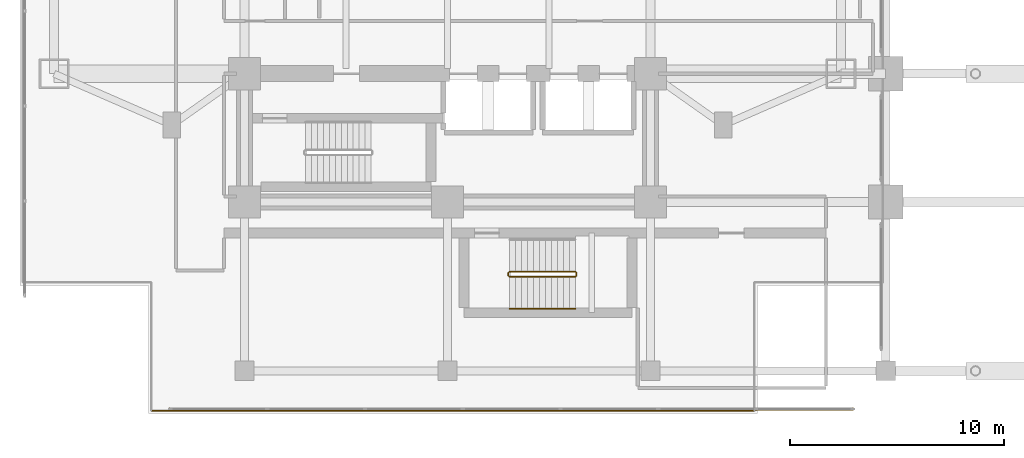
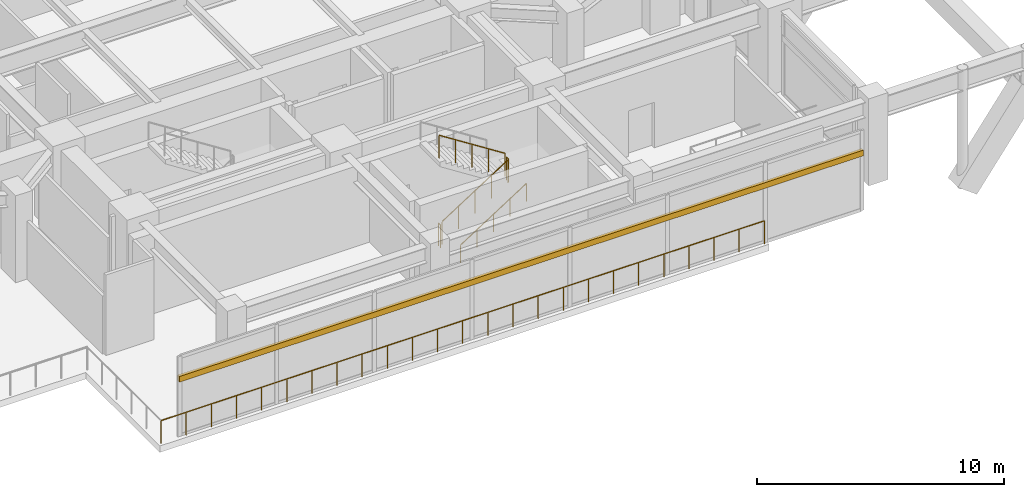
# One storey, part 21 of 30: 6 railings, 1 shading device.
"""IFC4 building model written with IfcOpenShell, lengths in metres."""

from ifc_helpers import new_model, si_unit, direction, frame, origin, origin_2d, place, context, subcontext, project, spatial, rectangle, circle, extrude, material, material_profile, profile_set, type_object, element, save


model = new_model("IFC4")

# Units and contexts
model_context = context("Model", 3, precision=1e-05, world=origin(), true_north=direction((0.0, 1.0)))
body_context = subcontext(model_context, "Body", "Model", "MODEL_VIEW")
ifc_project = project(units=[si_unit("LENGTHUNIT", "METRE"), si_unit("AREAUNIT", "SQUARE_METRE"), si_unit("VOLUMEUNIT", "CUBIC_METRE"), si_unit("PLANEANGLEUNIT", "RADIAN"), si_unit("MASSUNIT", "GRAM", prefix="KILO")], contexts=[model_context])

# Site, building, storey
site_placement = place(None, origin())
site = spatial("IfcSite", under=ifc_project, at=site_placement, CompositionType="ELEMENT")
building_placement = place(site_placement, origin())
building = spatial("IfcBuilding", under=site, at=building_placement, Name="Mirazonda Arch Towers", CompositionType="ELEMENT")
storey_placement = place(building_placement, frame((0.0, 0.0, 9.5)))
storey = spatial("IfcBuildingStorey", under=building, at=storey_placement, Name="L02", CompositionType="ELEMENT", Elevation=9.5)

# Shading device
ifc_material_1 = material(Name="Kiln-Fired Architectural Terracotta", Category="masonry")
ifc_material_profile = material_profile(ifc_material_1, rectangle(XDim=0.139892578125, YDim=0.280029296875, at=origin_2d()), Name="TERRA-BAG-140x280")
ifc_profile_set = profile_set([ifc_material_profile], Name="Kiln-Fired Architectural Terracotta")
shading_device_type = type_object("IfcShadingDeviceType", Name="BAGUETTE-3", PredefinedType="USERDEFINED", material=ifc_profile_set)
shading_device_placement = place(storey_placement, frame((39.5, 2.719970703125, 2.851318359375), z_axis=(-1.0, 0.0, 0.0), x_axis=(0.0, -1.0, 0.0)))
element("IfcShadingDevice", 1, at=shading_device_placement, inside=storey, type_object=shading_device_type, Name="L02 Glazed Terracotta Sun-Screen Baguette CW-L02-WS", ObjectType="BAGUETTE", PredefinedType="USERDEFINED", context=body_context, shape_type="SweptSolid", body=[
    extrude(rectangle(XDim=0.139892578125, YDim=0.280029296875, at=origin_2d()), origin(), (0.0, 0.0, 1.0), 32.0),
])

# Railings
ifc_material_2 = material(Name="Architectural Brushed Steel S355", Category="steel")
railing_type_1 = type_object("IfcRailingType", Name="GUARD-EXT-1150", PredefinedType="GUARDRAIL", material=ifc_material_2)
railing_1_placement = place(storey_placement, frame((6.639892578125, 2.639892578125, 0.0)))
element("IfcRailing", 2, at=railing_1_placement, inside=storey, type_object=railing_type_1, Name="L02 L02 West Podium Perimeter Guard 01", PredefinedType="GUARDRAIL", context=body_context, shape_type="SweptSolid", body=[
    extrude(circle(Radius=0.02392578125, at=origin_2d()), frame((0.0, 0.0, 1.1259765625), z_axis=(1.0, 0.0, 0.0), x_axis=(0.0, 1.0, 0.0)), (0.0, 0.0, 1.0), 28.22021484375),
    extrude(circle(Radius=0.02099609375, at=origin_2d()), origin(), (0.0, 0.0, 1.0), 1.101806640625),
    extrude(circle(Radius=0.02099609375, at=origin_2d()), frame((1.17578125, 0.0, 0.0)), (0.0, 0.0, 1.0), 1.101806640625),
    extrude(circle(Radius=0.02099609375, at=origin_2d()), frame((2.3515625, 0.0, 0.0)), (0.0, 0.0, 1.0), 1.101806640625),
    extrude(circle(Radius=0.02099609375, at=origin_2d()), frame((3.527587890625, 0.0, 0.0)), (0.0, 0.0, 1.0), 1.101806640625),
    extrude(circle(Radius=0.02099609375, at=origin_2d()), frame((4.703369140625, 0.0, 0.0)), (0.0, 0.0, 1.0), 1.101806640625),
    extrude(circle(Radius=0.02099609375, at=origin_2d()), frame((5.879150390625, 0.0, 0.0)), (0.0, 0.0, 1.0), 1.101806640625),
    extrude(circle(Radius=0.02099609375, at=origin_2d()), frame((7.05517578125, 0.0, 0.0)), (0.0, 0.0, 1.0), 1.101806640625),
    extrude(circle(Radius=0.02099609375, at=origin_2d()), frame((8.23095703125, 0.0, 0.0)), (0.0, 0.0, 1.0), 1.101806640625),
    extrude(circle(Radius=0.02099609375, at=origin_2d()), frame((9.40673828125, 0.0, 0.0)), (0.0, 0.0, 1.0), 1.101806640625),
    extrude(circle(Radius=0.02099609375, at=origin_2d()), frame((10.58251953125, 0.0, 0.0)), (0.0, 0.0, 1.0), 1.101806640625),
    extrude(circle(Radius=0.02099609375, at=origin_2d()), frame((11.75830078125, 0.0, 0.0)), (0.0, 0.0, 1.0), 1.101806640625),
    extrude(circle(Radius=0.02099609375, at=origin_2d()), frame((12.934326171875, 0.0, 0.0)), (0.0, 0.0, 1.0), 1.101806640625),
    extrude(circle(Radius=0.02099609375, at=origin_2d()), frame((14.110107421875, 0.0, 0.0)), (0.0, 0.0, 1.0), 1.101806640625),
    extrude(circle(Radius=0.02099609375, at=origin_2d()), frame((15.285888671875, 0.0, 0.0)), (0.0, 0.0, 1.0), 1.101806640625),
    extrude(circle(Radius=0.02099609375, at=origin_2d()), frame((16.4619140625, 0.0, 0.0)), (0.0, 0.0, 1.0), 1.101806640625),
    extrude(circle(Radius=0.02099609375, at=origin_2d()), frame((17.6376953125, 0.0, 0.0)), (0.0, 0.0, 1.0), 1.101806640625),
    extrude(circle(Radius=0.02099609375, at=origin_2d()), frame((18.8134765625, 0.0, 0.0)), (0.0, 0.0, 1.0), 1.101806640625),
    extrude(circle(Radius=0.02099609375, at=origin_2d()), frame((19.9892578125, 0.0, 0.0)), (0.0, 0.0, 1.0), 1.101806640625),
    extrude(circle(Radius=0.02099609375, at=origin_2d()), frame((21.1650390625, 0.0, 0.0)), (0.0, 0.0, 1.0), 1.101806640625),
    extrude(circle(Radius=0.02099609375, at=origin_2d()), frame((22.341064453125, 0.0, 0.0)), (0.0, 0.0, 1.0), 1.101806640625),
    extrude(circle(Radius=0.02099609375, at=origin_2d()), frame((23.516845703125, 0.0, 0.0)), (0.0, 0.0, 1.0), 1.101806640625),
    extrude(circle(Radius=0.02099609375, at=origin_2d()), frame((24.692626953125, 0.0, 0.0)), (0.0, 0.0, 1.0), 1.101806640625),
    extrude(circle(Radius=0.02099609375, at=origin_2d()), frame((25.86865234375, 0.0, 0.0)), (0.0, 0.0, 1.0), 1.101806640625),
    extrude(circle(Radius=0.02099609375, at=origin_2d()), frame((27.04443359375, 0.0, 0.0)), (0.0, 0.0, 1.0), 1.101806640625),
    extrude(circle(Radius=0.02099609375, at=origin_2d()), frame((28.22021484375, 0.0, 0.0)), (0.0, 0.0, 1.0), 1.101806640625),
])
railing_type_2 = type_object("IfcRailingType", Name="GUARD-STAIR-1120", PredefinedType="GUARDRAIL", material=ifc_material_2)
railing_2_placement = place(storey_placement, frame((23.39990234375, 8.89990234375, 0.17919921875)))
element("IfcRailing", 3, at=railing_2_placement, inside=storey, type_object=railing_type_2, Name="L02 ST-POD1 stair guard 1", PredefinedType="GUARDRAIL", context=body_context, shape_type="SweptSolid", body=[
    extrude(circle(Radius=0.02392578125, at=origin_2d()), frame((0.0, 0.0, 1.1259765625), z_axis=(0.842339298311, 0.0, 0.538947591627), x_axis=(0.0, 1.0, 0.0)), (0.0, 0.0, 1.0), 3.656494140625),
    extrude(circle(Radius=0.02099609375, at=origin_2d()), origin(), (0.0, 0.0, 1.0), 1.101806640625),
    extrude(circle(Radius=0.02099609375, at=origin_2d()), frame((0.77001953125, 0.0, 0.49267578125)), (0.0, 0.0, 1.0), 1.101806640625),
    extrude(circle(Radius=0.02099609375, at=origin_2d()), frame((1.5400390625, 0.0, 0.9853515625)), (0.0, 0.0, 1.0), 1.101806640625),
    extrude(circle(Radius=0.02099609375, at=origin_2d()), frame((2.31005859375, 0.0, 1.47802734375)), (0.0, 0.0, 1.0), 1.101806640625),
    extrude(circle(Radius=0.02099609375, at=origin_2d()), frame((3.080078125, 0.0, 1.970703125)), (0.0, 0.0, 1.0), 1.101806640625),
])
railing_3_placement = place(storey_placement, frame((26.530029296875, 8.949951171875, 2.14990234375)))
element("IfcRailing", 4, at=railing_3_placement, inside=storey, type_object=railing_type_2, Name="L02 ST-POD1 stair guard 2", PredefinedType="GUARDRAIL", context=body_context, shape_type="SweptSolid", body=[
    extrude(circle(Radius=0.02392578125, at=origin_2d()), frame((0.0, 0.0, 1.1259765625), z_axis=(0.0, 1.0, 0.0), x_axis=(-1.0, 0.0, 0.0)), (0.0, 0.0, 1.0), 0.14013671875),
    extrude(circle(Radius=0.02099609375, at=origin_2d()), origin(), (0.0, 0.0, 1.0), 1.101806640625),
    extrude(circle(Radius=0.02099609375, at=origin_2d()), frame((0.0, 0.14013671875, 0.0)), (0.0, 0.0, 1.0), 1.101806640625),
])
railing_4_placement = place(storey_placement, frame((26.47998046875, 9.139892578125, 2.3291015625)))
element("IfcRailing", 5, at=railing_4_placement, inside=storey, type_object=railing_type_2, Name="L02 ST-POD1 stair guard 3", PredefinedType="GUARDRAIL", context=body_context, shape_type="SweptSolid", body=[
    extrude(circle(Radius=0.02392578125, at=origin_2d()), frame((0.0, 0.0, 1.1259765625), z_axis=(-0.842308987159, 0.0, 0.53899496301), x_axis=(0.0, -1.0, 0.0)), (0.0, 0.0, 1.0), 3.65673828125),
    extrude(circle(Radius=0.02099609375, at=origin_2d()), origin(), (0.0, 0.0, 1.0), 1.101806640625),
    extrude(circle(Radius=0.02099609375, at=origin_2d()), frame((-0.77001953125, 0.0, 0.49267578125)), (0.0, 0.0, 1.0), 1.101806640625),
    extrude(circle(Radius=0.02099609375, at=origin_2d()), frame((-1.5400390625, 0.0, 0.9853515625)), (0.0, 0.0, 1.0), 1.101806640625),
    extrude(circle(Radius=0.02099609375, at=origin_2d()), frame((-2.31005859375, 0.0, 1.478271484375)), (0.0, 0.0, 1.0), 1.101806640625),
    extrude(circle(Radius=0.02099609375, at=origin_2d()), frame((-3.080078125, 0.0, 1.970947265625)), (0.0, 0.0, 1.0), 1.101806640625),
])
railing_5_placement = place(storey_placement, frame((23.35009765625, 8.949951171875, 0.0)))
element("IfcRailing", 6, at=railing_5_placement, inside=storey, type_object=railing_type_2, Name="L02 ST-POD1 stair guard 4", PredefinedType="GUARDRAIL", context=body_context, shape_type="SweptSolid", body=[
    extrude(circle(Radius=0.02392578125, at=origin_2d()), frame((0.0, 0.0, 1.1259765625), z_axis=(0.0, 1.0, 0.0), x_axis=(-1.0, 0.0, 0.0)), (0.0, 0.0, 1.0), 0.14013671875),
    extrude(circle(Radius=0.02099609375, at=origin_2d()), origin(), (0.0, 0.0, 1.0), 1.101806640625),
    extrude(circle(Radius=0.02099609375, at=origin_2d()), frame((0.0, 0.14013671875, 0.0)), (0.0, 0.0, 1.0), 1.101806640625),
])
railing_type_3 = type_object("IfcRailingType", Name="HANDRAIL-915", PredefinedType="HANDRAIL", material=ifc_material_2)
railing_6_placement = place(storey_placement, frame((23.39990234375, 7.39990234375, 0.17919921875)))
element("IfcRailing", 7, at=railing_6_placement, inside=storey, type_object=railing_type_3, Name="L02 ST-POD1 stair handrail 1", PredefinedType="HANDRAIL", context=body_context, shape_type="SweptSolid", body=[
    extrude(circle(Radius=0.02392578125, at=origin_2d()), frame((0.0, 0.0, 0.8759765625), z_axis=(0.842339298311, 0.0, 0.538947591627), x_axis=(0.0, 1.0, 0.0)), (0.0, 0.0, 1.0), 3.656494140625),
    extrude(circle(Radius=0.02099609375, at=origin_2d()), origin(), (0.0, 0.0, 1.0), 0.851806640625),
    extrude(circle(Radius=0.02099609375, at=origin_2d()), frame((0.77001953125, 0.0, 0.49267578125)), (0.0, 0.0, 1.0), 0.851806640625),
    extrude(circle(Radius=0.02099609375, at=origin_2d()), frame((1.5400390625, 0.0, 0.9853515625)), (0.0, 0.0, 1.0), 0.851806640625),
    extrude(circle(Radius=0.02099609375, at=origin_2d()), frame((2.31005859375, 0.0, 1.47802734375)), (0.0, 0.0, 1.0), 0.851806640625),
    extrude(circle(Radius=0.02099609375, at=origin_2d()), frame((3.080078125, 0.0, 1.970703125)), (0.0, 0.0, 1.0), 0.851806640625),
])

save(model, "model.ifc")
